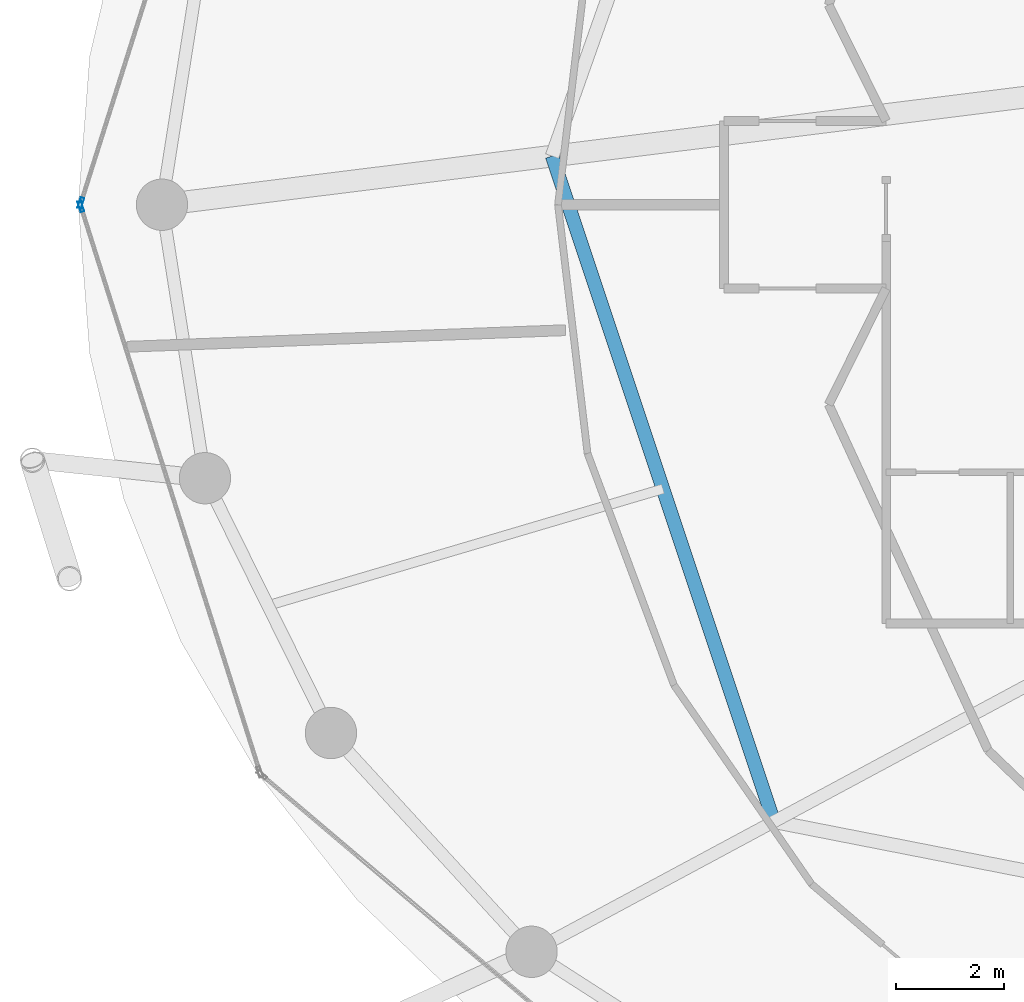
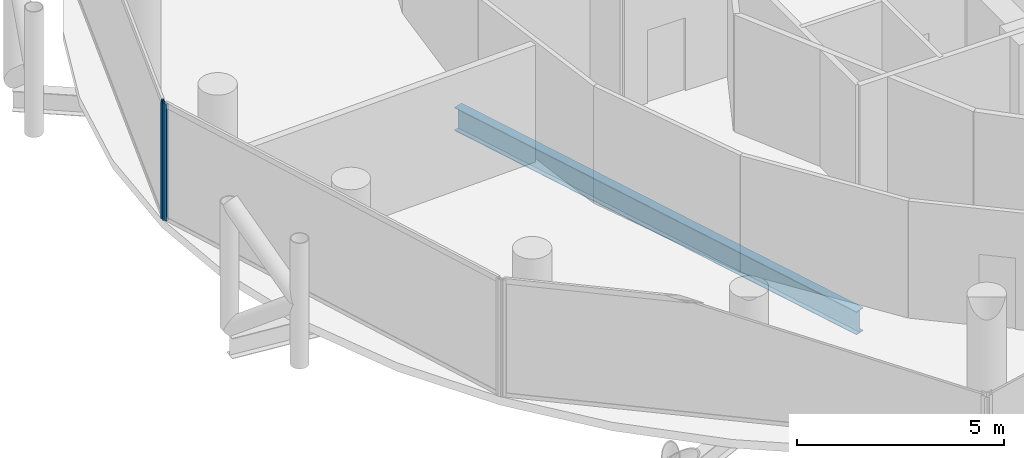
# One storey, part 6 of 26: 2 members, 1 beam, 2 elements without a shape of their own.
"""IFC4 building model written with IfcOpenShell, lengths in metres."""

from ifc_helpers import new_model, si_unit, direction, frame, origin, origin_2d, place, context, subcontext, project, spatial, hollow_rectangle, i_section, extrude, material, layer, layer_set, material_profile, profile_set, type_object, element, aggregate, save


model = new_model("IFC4")

# Units and contexts
model_context = context("Model", 3, precision=1e-05, world=origin(), true_north=direction((0.0, 1.0)))
body_context = subcontext(model_context, "Body", "Model", "MODEL_VIEW")
ifc_project = project(units=[si_unit("LENGTHUNIT", "METRE"), si_unit("AREAUNIT", "SQUARE_METRE"), si_unit("VOLUMEUNIT", "CUBIC_METRE"), si_unit("PLANEANGLEUNIT", "RADIAN"), si_unit("MASSUNIT", "GRAM", prefix="KILO")], contexts=[model_context])

# Site, building, storey
site_placement = place(None, origin())
site = spatial("IfcSite", under=ifc_project, at=site_placement, CompositionType="ELEMENT")
building_placement = place(site_placement, origin())
building = spatial("IfcBuilding", under=site, at=building_placement, Name="Nuhasar Tower", CompositionType="ELEMENT")
storey_placement = place(building_placement, frame((0.0, 0.0, 133.050048828125)))
storey = spatial("IfcBuildingStorey", under=building, at=storey_placement, Name="L31", CompositionType="ELEMENT", Elevation=133.050048828125)

# Beam
ifc_material_1 = material(Name="Steel S355", Category="steel")
ifc_material_profile_1 = material_profile(ifc_material_1, i_section(OverallWidth=0.25390625, OverallDepth=0.68408203125, WebThickness=0.012451171875, FlangeThickness=0.018798828125, at=origin_2d()), Name="W27X94")
ifc_profile_set_1 = profile_set([ifc_material_profile_1], Name="Steel S355")
beam_type = type_object("IfcBeamType", Name="BM-INRING-W27X94", PredefinedType="BEAM", material=ifc_profile_set_1)
beam_placement = place(storey_placement, frame((22.8701171875, 27.699951171875, -0.592041015625), z_axis=(0.31609797573, -0.948726551615, 0.0), x_axis=(0.948726551615, 0.31609797573, 0.0)))
element("IfcBeam", 1, at=beam_placement, inside=storey, type_object=beam_type, Name="L31 Inner Header Beam 08", PredefinedType="BEAM", context=body_context, shape_type="SweptSolid", body=[
    extrude(i_section(OverallWidth=0.25390625, OverallDepth=0.68408203125, WebThickness=0.012451171875, FlangeThickness=0.018798828125, at=origin_2d()), origin(), (0.0, 0.0, 1.0), 12.9794921875),
])

# Curtain wall, member
ifc_material_2 = material(Name="Aluminium 6063-T6", Category="aluminium")
ifc_layer = layer(ifc_material_2, 0.199951171875)
ifc_layer_set = layer_set([ifc_layer], Name="Aluminium 6063-T6")
curtain_wall_type = type_object("IfcCurtainWallType", Name="CW-Z2-HTL", PredefinedType="NOTDEFINED", material=ifc_layer_set)
curtain_wall_1_placement = place(storey_placement, origin())
curtain_wall_1 = element("IfcCurtainWall", 2, at=curtain_wall_1_placement, inside=storey, type_object=curtain_wall_type, Name="L31 Unitised Curtain Wall 06", PredefinedType="NOTDEFINED")
ifc_material_profile_2 = material_profile(ifc_material_2, hollow_rectangle(XDim=0.070068359375, YDim=0.199951171875, WallThickness=0.0048828125, at=origin_2d()), Name="CWM-3")
ifc_profile_set_2 = profile_set([ifc_material_profile_2], Name="Aluminium 6063-T6")
member_type = type_object("IfcMemberType", Name="CW-MUL-S3", PredefinedType="MULLION", material=ifc_profile_set_2)
member_1_placement = place(storey_placement, frame((14.150634765625, 26.833251953125, 0.0), z_axis=(0.0, 0.0, 1.0), x_axis=(0.953433389233, -0.301603667577, 0.0)))
member_1 = element("IfcMember", 3, at=member_1_placement, type_object=member_type, Name="CW-Z2 mullion 2", PredefinedType="MULLION", context=body_context, shape_type="SweptSolid", body=[
    extrude(hollow_rectangle(XDim=0.070068359375, YDim=0.199951171875, WallThickness=0.0048828125, at=origin_2d()), origin(), (0.0, 0.0, 1.0), 3.449951171875),
])
aggregate(curtain_wall_1, [member_1])

curtain_wall_2_placement = place(storey_placement, origin())
curtain_wall_2 = element("IfcCurtainWall", 4, at=curtain_wall_2_placement, inside=storey, type_object=curtain_wall_type, Name="L31 Unitised Curtain Wall 07", PredefinedType="NOTDEFINED")
member_2_placement = place(storey_placement, frame((14.150634765625, 26.7666015625, 0.0), z_axis=(0.0, 0.0, 1.0), x_axis=(0.953433389233, 0.301603667577, 0.0)))
member_2 = element("IfcMember", 5, at=member_2_placement, type_object=member_type, Name="CW-Z2 mullion 1", PredefinedType="MULLION", context=body_context, shape_type="SweptSolid", body=[
    extrude(hollow_rectangle(XDim=0.070068359375, YDim=0.199951171875, WallThickness=0.0048828125, at=origin_2d()), origin(), (0.0, 0.0, 1.0), 3.449951171875),
])
aggregate(curtain_wall_2, [member_2])

save(model, "model.ifc")
